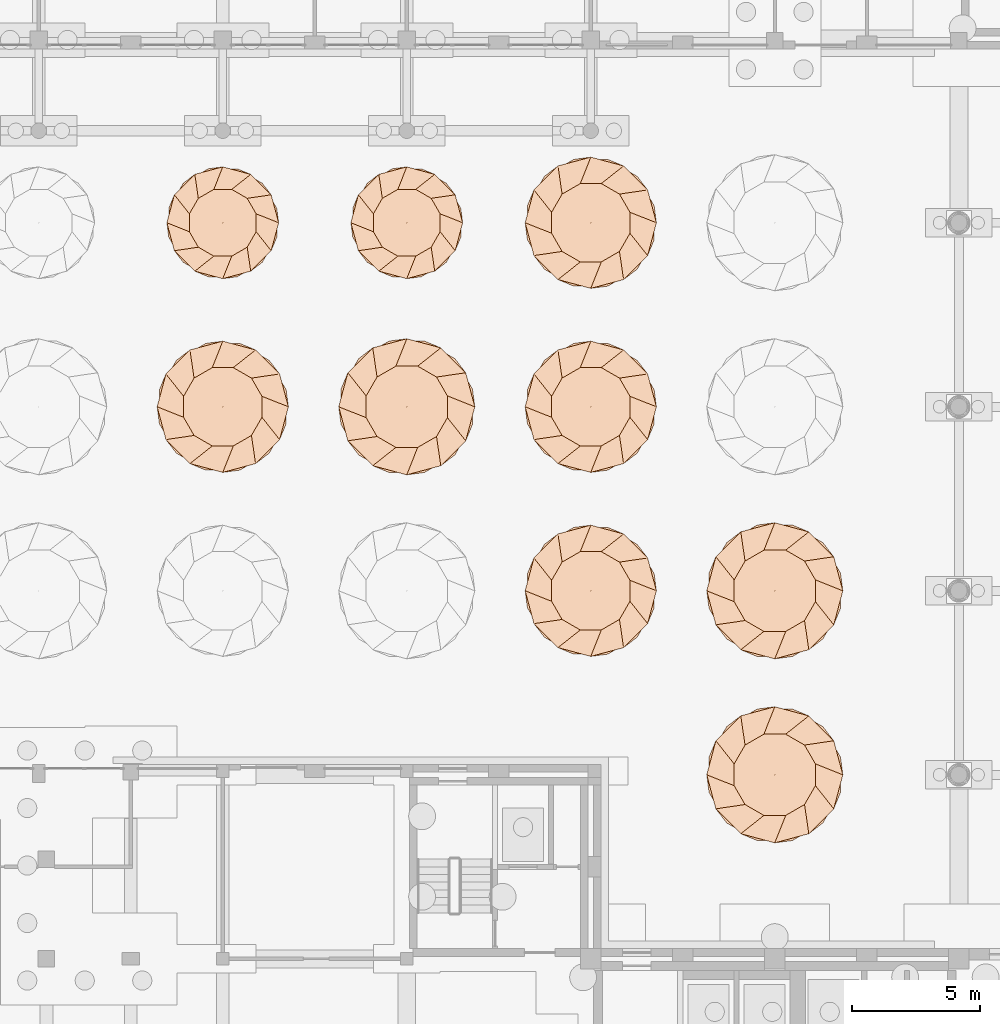
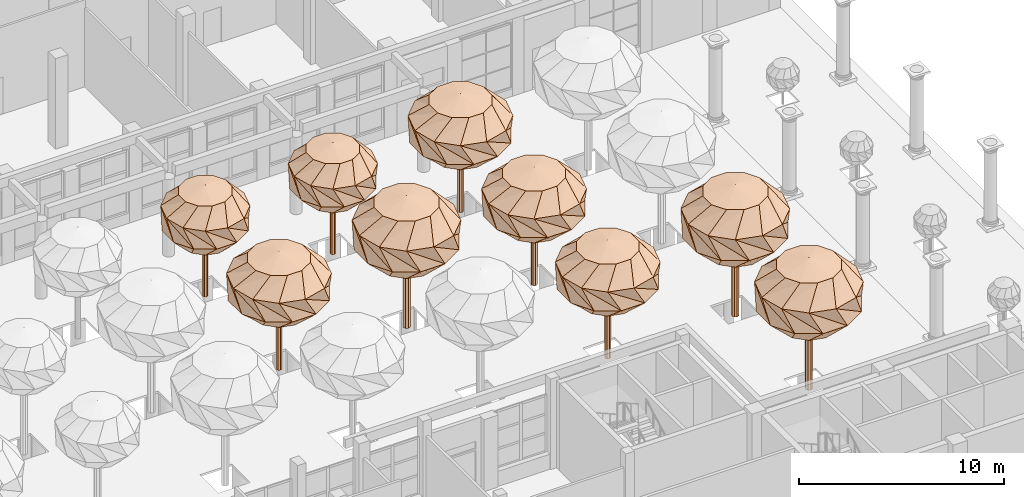
# One storey, part 79 of 80: 9 geographic elements.
"""IFC4 building model written with IfcOpenShell, lengths in metres."""

import ifcopenshell
import ifcopenshell.guid

model = None  # the IFC model being written
_history = None  # IfcOwnerHistory: only IFC2X3 demands one
_inside = {}  # id of a spatial element -> (the spatial element, [elements in it])
_under = {}  # id of a project, library or spatial element -> (it, [spatial elements below it])
_declared = {}  # id of a project -> (the project, [libraries it declares])
_typed = {}  # id of a type object -> (the type object, [elements of that type])
_made_of = {}  # id of a material, layer set ... -> (it, [elements and type objects made of it])


def new_model(schema):
    """Start an empty IFC model of exactly this schema.

    Asked for "IFC4X3", IfcOpenShell would pick the latest addendum, in which some entities
    have other attributes; the version numbers below select the first issue.
    IFC2X3 requires an IfcOwnerHistory on every rooted entity: one is made here for all.
    """
    global model, _history
    if schema == "IFC4X3":
        model = ifcopenshell.file(schema_version=(4, 3, 0, 0))
    else:
        model = ifcopenshell.file(schema=schema)
    _inside.clear()
    _under.clear()
    _declared.clear()
    _typed.clear()
    _made_of.clear()
    _history = None
    if model.schema == "IFC2X3":
        org = make("IfcOrganization", Name="unknown")
        user = make(
            "IfcPersonAndOrganization",
            ThePerson=make("IfcPerson", FamilyName="unknown"),
            TheOrganization=org,
        )
        app = make(
            "IfcApplication",
            ApplicationDeveloper=org,
            Version="unknown",
            ApplicationFullName="unknown",
            ApplicationIdentifier="unknown",
        )
        _history = make(
            "IfcOwnerHistory",
            OwningUser=user,
            OwningApplication=app,
            ChangeAction="ADDED",
            CreationDate=0,
        )
    return model


def make(cls, **values):
    """One entity of the class cls with the attributes given. An attribute that is None is left unset."""
    return model.create_entity(
        cls, **{name: value for name, value in values.items() if value is not None}
    )


def rooted(cls, **values):
    """An entity with a GlobalId (a new one), such as an element, a storey or a relation."""
    return make(cls, GlobalId=ifcopenshell.guid.new(), OwnerHistory=_history, **values)


def si_unit(unit_type, name, prefix=None):
    """IfcSIUnit, for example si_unit("LENGTHUNIT", "METRE", prefix="MILLI")."""
    return make("IfcSIUnit", UnitType=unit_type, Prefix=prefix, Name=name)


def assignment(units):
    """IfcUnitAssignment: the units of a project."""
    return None if units is None else make("IfcUnitAssignment", Units=units)


def point(xyz):
    """IfcCartesianPoint."""
    return None if xyz is None else make("IfcCartesianPoint", Coordinates=xyz)


def direction(xyz):
    """IfcDirection."""
    return None if xyz is None else make("IfcDirection", DirectionRatios=xyz)


def frame(location, z_axis=None, x_axis=None):
    """IfcAxis2Placement3D, a coordinate frame: its origin and axes. An axis left out is left unset."""
    return make(
        "IfcAxis2Placement3D",
        Location=point(location),
        Axis=direction(z_axis),
        RefDirection=direction(x_axis),
    )


def origin():
    """The frame at (0, 0, 0) with its axes left unset."""
    return frame((0.0, 0.0, 0.0))


def place(relative_to, where):
    """IfcLocalPlacement: puts the frame where relative to a parent placement (None: the world)."""
    return make(
        "IfcLocalPlacement", PlacementRelTo=relative_to, RelativePlacement=where
    )


def context(
    kind, dimensions, precision=None, world=None, true_north=None, identifier=None
):
    """IfcGeometricRepresentationContext, for example the 3D "Model" context."""
    return make(
        "IfcGeometricRepresentationContext",
        ContextIdentifier=identifier,
        ContextType=kind,
        CoordinateSpaceDimension=dimensions,
        Precision=precision,
        WorldCoordinateSystem=world,
        TrueNorth=true_north,
    )


def subcontext(parent, identifier, kind, view, scale=None):
    """IfcGeometricRepresentationSubContext, for example "Body" below "Model"."""
    return make(
        "IfcGeometricRepresentationSubContext",
        ContextIdentifier=identifier,
        ContextType=kind,
        ParentContext=parent,
        TargetScale=scale,
        TargetView=view,
    )


def project(units=None, contexts=None):
    """IfcProject with its units and contexts."""
    return rooted(
        "IfcProject",
        Name="project",
        RepresentationContexts=contexts,
        UnitsInContext=assignment(units),
    )


def spatial(cls, under=None, at=None, **own):
    """A site, building, storey or space (cls), placed at a placement, below another one or the project."""
    s = rooted(cls, ObjectPlacement=at, **own)
    if under is not None:
        _under.setdefault(under.id(), (under, []))[1].append(s)
    return s


def point_list(points):
    """IfcCartesianPointList2D or 3D."""
    cls = (
        "IfcCartesianPointList2D" if len(points[0]) == 2 else "IfcCartesianPointList3D"
    )
    return make(cls, CoordList=points)


def triangles(points, corners, closed=None, point_numbers=None):
    """IfcTriangulatedFaceSet: each triangle names its three corners, points numbered from 1."""
    return make(
        "IfcTriangulatedFaceSet",
        Coordinates=point_list(points),
        Closed=closed,
        CoordIndex=corners,
        PnIndex=point_numbers,
    )


def shape(context_of_items, identifier, shape_type, items):
    """IfcShapeRepresentation: the items that make up one representation, for example the "Body"."""
    return make(
        "IfcShapeRepresentation",
        ContextOfItems=context_of_items,
        RepresentationIdentifier=identifier,
        RepresentationType=shape_type,
        Items=items,
    )


def material(Name=None, Category=None):
    """IfcMaterial."""
    return make("IfcMaterial", Name=Name, Category=Category)


def made_of(thing, what):
    """Note that an element or type object is made of a material, layer set ...; save() writes the relation."""
    if what is not None:
        _made_of.setdefault(what.id(), (what, []))[1].append(thing)
    return thing


def type_object(cls, material=None, **own):
    """A type object (cls), such as IfcWallType, which elements share."""
    return made_of(rooted(cls, **own), material)


def element(
    cls,
    number,
    at=None,
    inside=None,
    cuts=None,
    type_object=None,
    material=None,
    context=None,
    identifier="Body",
    shape_type=None,
    held_by="IfcProductDefinitionShape",
    body=None,
    shapes=None,
    **own,
):
    """One element of the class cls, such as IfcWall. Its Tag is "e" and its number.

    at: its placement. inside: the storey or other place that contains it. cuts: it is an
    opening in that element (IfcRelVoidsElement). A single representation is given by context,
    identifier, shape_type and body (its items); several are given by shapes. held_by: the class
    of the entity that holds the representations. save() writes the other relations.
    """
    e = rooted(cls, Tag="e%d" % number, ObjectPlacement=at, **own)
    if body is not None:
        shapes = [shape(context, identifier, shape_type, body)]
    if shapes is not None:
        e.Representation = make(held_by, Representations=shapes)
    if inside is not None:
        _inside.setdefault(inside.id(), (inside, []))[1].append(e)
    if cuts is not None:
        rooted(
            "IfcRelVoidsElement", RelatingBuildingElement=cuts, RelatedOpeningElement=e
        )
    if type_object is not None:
        _typed.setdefault(type_object.id(), (type_object, []))[1].append(e)
    return made_of(e, material)


def aggregate(whole, parts):
    """IfcRelAggregates: a whole, such as a stair, and the parts it consists of."""
    return rooted("IfcRelAggregates", RelatingObject=whole, RelatedObjects=parts)


def save(model, path):
    """Write the relations noted so far, then the file.

    IfcRelAggregates (storeys below a building ...), IfcRelContainedInSpatialStructure (elements
    in a storey), IfcRelDefinesByType, IfcRelAssociatesMaterial and IfcRelDeclares: one each for
    every whole, place, type object, material and project.
    """
    for whole, parts in _under.values():
        aggregate(whole, parts)
    for where, things in _inside.values():
        rooted(
            "IfcRelContainedInSpatialStructure",
            RelatedElements=things,
            RelatingStructure=where,
        )
    for kind, things in _typed.values():
        rooted("IfcRelDefinesByType", RelatedObjects=things, RelatingType=kind)
    for what, things in _made_of.values():
        rooted("IfcRelAssociatesMaterial", RelatedObjects=things, RelatingMaterial=what)
    for by, libraries in _declared.values():
        rooted("IfcRelDeclares", RelatingContext=by, RelatedDefinitions=libraries)
    model.write(path)


model = new_model("IFC4")

# Units and contexts
model_context = context("Model", 3, precision=1e-05, world=origin(), true_north=direction((0.0, 1.0)))
body_context = subcontext(model_context, "Body", "Model", "MODEL_VIEW")
ifc_project = project(units=[si_unit("LENGTHUNIT", "METRE"), si_unit("AREAUNIT", "SQUARE_METRE"), si_unit("VOLUMEUNIT", "CUBIC_METRE"), si_unit("PLANEANGLEUNIT", "RADIAN"), si_unit("MASSUNIT", "GRAM", prefix="KILO")], contexts=[model_context])

# Site, building, storey
site_placement = place(None, origin())
site = spatial("IfcSite", under=ifc_project, at=site_placement, CompositionType="ELEMENT")
building_placement = place(site_placement, origin())
building = spatial("IfcBuilding", under=site, at=building_placement, Name="Ussher Court Research Institute", CompositionType="ELEMENT")
storey_placement = place(building_placement, origin())
storey = spatial("IfcBuildingStorey", under=building, at=storey_placement, Name="L00", CompositionType="ELEMENT", Elevation=0.0)

# Geographic elements
ifc_material_1 = material(Name="Tree foliage and trunk")
geographic_element_type_1 = type_object("IfcGeographicElementType", Name="African mahogany 7.8 m", PredefinedType="USERDEFINED", material=ifc_material_1)
geographic_element_1_placement = place(storey_placement, frame((89.39990234375, 40.0, -0.320068359375)))
element("IfcGeographicElement", 1, at=geographic_element_1_placement, inside=storey, type_object=geographic_element_type_1, Name="T15 African mahogany", ObjectType="TREE", PredefinedType="USERDEFINED", context=body_context, shape_type="Tessellation", body=[
    triangles([(0.1899, 0.0, 0.0), (0.1343, 0.1343, 0.0), (0.0, 0.1899, 0.0), (-0.1343, 0.1343, 0.0), (-0.1899, 0.0, 0.0), (-0.1343, -0.1343, 0.0), (0.0, -0.1899, 0.0), (0.1343, -0.1343, 0.0), (0.1899, 0.0, 4.8601), (0.1343, 0.1343, 4.8601), (0.0, 0.1899, 4.8601), (-0.1343, 0.1343, 4.8601), (-0.1899, 0.0, 4.8601), (-0.1343, -0.1343, 4.8601), (0.0, -0.1899, 4.8601), (0.1343, -0.1343, 4.8601), (0.0, 0.0, 7.8), (1.5897, 0.426, 7.399), (1.1638, 1.1638, 7.399), (0.426, 1.5897, 7.399), (-0.426, 1.5897, 7.399), (-1.1638, 1.1638, 7.399), (-1.5897, 0.426, 7.399), (-1.5897, -0.426, 7.399), (-1.1638, -1.1638, 7.399), (-0.426, -1.5897, 7.399), (0.426, -1.5897, 7.399), (1.1638, -1.1638, 7.399), (1.5897, -0.426, 7.399), (2.663, 0.0, 6.349), (2.3062, 1.3315, 6.349), (1.3315, 2.3062, 6.349), (0.0, 2.663, 6.349), (-1.3315, 2.3062, 6.349), (-2.3062, 1.3315, 6.349), (-2.663, 0.0, 6.349), (-2.3062, -1.3315, 6.349), (-1.3315, -2.3062, 6.349), (0.0, -2.663, 6.349), (1.3315, -2.3062, 6.349), (2.3062, -1.3315, 6.349), (2.5723, 0.6892, 5.0511), (1.883, 1.883, 5.0511), (0.6892, 2.5723, 5.0511), (-0.6892, 2.5723, 5.0511), (-1.883, 1.883, 5.0511), (-2.5723, 0.6892, 5.0511), (-2.5723, -0.6892, 5.0511), (-1.883, -1.883, 5.0511), (-0.6892, -2.5723, 5.0511), (0.6892, -2.5723, 5.0511), (1.883, -1.883, 5.0511), (2.5723, -0.6892, 5.0511), (1.6458, 0.0, 4.0012), (1.4253, 0.8229, 4.0012), (0.8229, 1.4253, 4.0012), (0.0, 1.6458, 4.0012), (-0.8229, 1.4253, 4.0012), (-1.4253, 0.8229, 4.0012), (-1.6458, 0.0, 4.0012), (-1.4253, -0.8229, 4.0012), (-0.8229, -1.4253, 4.0012), (0.0, -1.6458, 4.0012), (0.8229, -1.4253, 4.0012), (1.4253, -0.8229, 4.0012), (0.0, 0.0, 3.6001)], [[1, 2, 9], [2, 10, 9], [2, 3, 10], [3, 11, 10], [3, 4, 11], [4, 12, 11], [4, 5, 12], [5, 13, 12], [5, 6, 13], [6, 14, 13], [6, 7, 14], [7, 15, 14], [7, 8, 15], [8, 16, 15], [8, 1, 16], [1, 9, 16], [1, 3, 2], [9, 10, 11], [1, 4, 3], [9, 11, 12], [1, 5, 4], [9, 12, 13], [1, 6, 5], [9, 13, 14], [1, 7, 6], [9, 14, 15], [1, 8, 7], [9, 15, 16], [17, 18, 19], [17, 19, 20], [17, 20, 21], [17, 21, 22], [17, 22, 23], [17, 23, 24], [17, 24, 25], [17, 25, 26], [17, 26, 27], [17, 27, 28], [17, 28, 29], [17, 29, 18], [18, 30, 19], [19, 30, 31], [19, 31, 20], [20, 31, 32], [20, 32, 21], [21, 32, 33], [21, 33, 22], [22, 33, 34], [22, 34, 23], [23, 34, 35], [23, 35, 24], [24, 35, 36], [24, 36, 25], [25, 36, 37], [25, 37, 26], [26, 37, 38], [26, 38, 27], [27, 38, 39], [27, 39, 28], [28, 39, 40], [28, 40, 29], [29, 40, 41], [29, 41, 18], [18, 41, 30], [30, 43, 31], [30, 42, 43], [31, 44, 32], [31, 43, 44], [32, 45, 33], [32, 44, 45], [33, 46, 34], [33, 45, 46], [34, 47, 35], [34, 46, 47], [35, 48, 36], [35, 47, 48], [36, 49, 37], [36, 48, 49], [37, 50, 38], [37, 49, 50], [38, 51, 39], [38, 50, 51], [39, 52, 40], [39, 51, 52], [40, 53, 41], [40, 52, 53], [41, 42, 30], [41, 53, 42], [42, 54, 43], [43, 54, 55], [43, 55, 44], [44, 55, 56], [44, 56, 45], [45, 56, 57], [45, 57, 46], [46, 57, 58], [46, 58, 47], [47, 58, 59], [47, 59, 48], [48, 59, 60], [48, 60, 49], [49, 60, 61], [49, 61, 50], [50, 61, 62], [50, 62, 51], [51, 62, 63], [51, 63, 52], [52, 63, 64], [52, 64, 53], [53, 64, 65], [53, 65, 42], [42, 65, 54], [66, 55, 54], [66, 56, 55], [66, 57, 56], [66, 58, 57], [66, 59, 58], [66, 60, 59], [66, 61, 60], [66, 62, 61], [66, 63, 62], [66, 64, 63], [66, 65, 64], [66, 54, 65]], closed=False),
])
geographic_element_2_placement = place(storey_placement, frame((89.39990234375, 47.199951171875, -0.320068359375)))
element("IfcGeographicElement", 2, at=geographic_element_2_placement, inside=storey, type_object=geographic_element_type_1, Name="T21 African mahogany", ObjectType="TREE", PredefinedType="USERDEFINED", context=body_context, shape_type="Tessellation", body=[
    triangles([(0.1899, 0.0, 0.0), (0.1343, 0.1343, 0.0), (0.0, 0.1899, 0.0), (-0.1343, 0.1343, 0.0), (-0.1899, 0.0, 0.0), (-0.1343, -0.1343, 0.0), (0.0, -0.1899, 0.0), (0.1343, -0.1343, 0.0), (0.1899, 0.0, 4.8601), (0.1343, 0.1343, 4.8601), (0.0, 0.1899, 4.8601), (-0.1343, 0.1343, 4.8601), (-0.1899, 0.0, 4.8601), (-0.1343, -0.1343, 4.8601), (0.0, -0.1899, 4.8601), (0.1343, -0.1343, 4.8601), (0.0, 0.0, 7.8), (1.5897, 0.426, 7.399), (1.1638, 1.1638, 7.399), (0.426, 1.5897, 7.399), (-0.426, 1.5897, 7.399), (-1.1638, 1.1638, 7.399), (-1.5897, 0.426, 7.399), (-1.5897, -0.426, 7.399), (-1.1638, -1.1638, 7.399), (-0.426, -1.5897, 7.399), (0.426, -1.5897, 7.399), (1.1638, -1.1638, 7.399), (1.5897, -0.426, 7.399), (2.663, 0.0, 6.349), (2.3062, 1.3315, 6.349), (1.3315, 2.3062, 6.349), (0.0, 2.663, 6.349), (-1.3315, 2.3062, 6.349), (-2.3062, 1.3315, 6.349), (-2.663, 0.0, 6.349), (-2.3062, -1.3315, 6.349), (-1.3315, -2.3062, 6.349), (0.0, -2.663, 6.349), (1.3315, -2.3062, 6.349), (2.3062, -1.3315, 6.349), (2.5723, 0.6892, 5.0511), (1.883, 1.883, 5.0511), (0.6892, 2.5723, 5.0511), (-0.6892, 2.5723, 5.0511), (-1.883, 1.883, 5.0511), (-2.5723, 0.6892, 5.0511), (-2.5723, -0.6892, 5.0511), (-1.883, -1.883, 5.0511), (-0.6892, -2.5723, 5.0511), (0.6892, -2.5723, 5.0511), (1.883, -1.883, 5.0511), (2.5723, -0.6892, 5.0511), (1.6458, 0.0, 4.0012), (1.4253, 0.8229, 4.0012), (0.8229, 1.4253, 4.0012), (0.0, 1.6458, 4.0012), (-0.8229, 1.4253, 4.0012), (-1.4253, 0.8229, 4.0012), (-1.6458, 0.0, 4.0012), (-1.4253, -0.8229, 4.0012), (-0.8229, -1.4253, 4.0012), (0.0, -1.6458, 4.0012), (0.8229, -1.4253, 4.0012), (1.4253, -0.8229, 4.0012), (0.0, 0.0, 3.6001)], [[1, 2, 9], [2, 10, 9], [2, 3, 10], [3, 11, 10], [3, 4, 11], [4, 12, 11], [4, 5, 12], [5, 13, 12], [5, 6, 13], [6, 14, 13], [6, 7, 14], [7, 15, 14], [7, 8, 15], [8, 16, 15], [8, 1, 16], [1, 9, 16], [1, 3, 2], [9, 10, 11], [1, 4, 3], [9, 11, 12], [1, 5, 4], [9, 12, 13], [1, 6, 5], [9, 13, 14], [1, 7, 6], [9, 14, 15], [1, 8, 7], [9, 15, 16], [17, 18, 19], [17, 19, 20], [17, 20, 21], [17, 21, 22], [17, 22, 23], [17, 23, 24], [17, 24, 25], [17, 25, 26], [17, 26, 27], [17, 27, 28], [17, 28, 29], [17, 29, 18], [18, 30, 19], [19, 30, 31], [19, 31, 20], [20, 31, 32], [20, 32, 21], [21, 32, 33], [21, 33, 22], [22, 33, 34], [22, 34, 23], [23, 34, 35], [23, 35, 24], [24, 35, 36], [24, 36, 25], [25, 36, 37], [25, 37, 26], [26, 37, 38], [26, 38, 27], [27, 38, 39], [27, 39, 28], [28, 39, 40], [28, 40, 29], [29, 40, 41], [29, 41, 18], [18, 41, 30], [30, 43, 31], [30, 42, 43], [31, 44, 32], [31, 43, 44], [32, 45, 33], [32, 44, 45], [33, 46, 34], [33, 45, 46], [34, 47, 35], [34, 46, 47], [35, 48, 36], [35, 47, 48], [36, 49, 37], [36, 48, 49], [37, 50, 38], [37, 49, 50], [38, 51, 39], [38, 50, 51], [39, 52, 40], [39, 51, 52], [40, 53, 41], [40, 52, 53], [41, 42, 30], [41, 53, 42], [42, 54, 43], [43, 54, 55], [43, 55, 44], [44, 55, 56], [44, 56, 45], [45, 56, 57], [45, 57, 46], [46, 57, 58], [46, 58, 47], [47, 58, 59], [47, 59, 48], [48, 59, 60], [48, 60, 49], [49, 60, 61], [49, 61, 50], [50, 61, 62], [50, 62, 51], [51, 62, 63], [51, 63, 52], [52, 63, 64], [52, 64, 53], [53, 64, 65], [53, 65, 42], [42, 65, 54], [66, 55, 54], [66, 56, 55], [66, 57, 56], [66, 58, 57], [66, 59, 58], [66, 60, 59], [66, 61, 60], [66, 62, 61], [66, 63, 62], [66, 64, 63], [66, 65, 64], [66, 54, 65]], closed=False),
])
geographic_element_3_placement = place(storey_placement, frame((75.0, 54.39990234375, -0.320068359375)))
element("IfcGeographicElement", 3, at=geographic_element_3_placement, inside=storey, type_object=geographic_element_type_1, Name="T26 African mahogany", ObjectType="TREE", PredefinedType="USERDEFINED", context=body_context, shape_type="Tessellation", body=[
    triangles([(0.1899, 0.0, 0.0), (0.1343, 0.1343, 0.0), (0.0, 0.1899, 0.0), (-0.1343, 0.1343, 0.0), (-0.1899, 0.0, 0.0), (-0.1343, -0.1343, 0.0), (0.0, -0.1899, 0.0), (0.1343, -0.1343, 0.0), (0.1899, 0.0, 4.8601), (0.1343, 0.1343, 4.8601), (0.0, 0.1899, 4.8601), (-0.1343, 0.1343, 4.8601), (-0.1899, 0.0, 4.8601), (-0.1343, -0.1343, 4.8601), (0.0, -0.1899, 4.8601), (0.1343, -0.1343, 4.8601), (0.0, 0.0, 7.8), (1.5897, 0.426, 7.399), (1.1638, 1.1638, 7.399), (0.426, 1.5897, 7.399), (-0.426, 1.5897, 7.399), (-1.1638, 1.1638, 7.399), (-1.5897, 0.426, 7.399), (-1.5897, -0.426, 7.399), (-1.1638, -1.1638, 7.399), (-0.426, -1.5897, 7.399), (0.426, -1.5897, 7.399), (1.1638, -1.1638, 7.399), (1.5897, -0.426, 7.399), (2.663, 0.0, 6.349), (2.3062, 1.3315, 6.349), (1.3315, 2.3062, 6.349), (0.0, 2.663, 6.349), (-1.3315, 2.3062, 6.349), (-2.3062, 1.3315, 6.349), (-2.663, 0.0, 6.349), (-2.3062, -1.3315, 6.349), (-1.3315, -2.3062, 6.349), (0.0, -2.663, 6.349), (1.3315, -2.3062, 6.349), (2.3062, -1.3315, 6.349), (2.5723, 0.6892, 5.0511), (1.883, 1.883, 5.0511), (0.6892, 2.5723, 5.0511), (-0.6892, 2.5723, 5.0511), (-1.883, 1.883, 5.0511), (-2.5723, 0.6892, 5.0511), (-2.5723, -0.6892, 5.0511), (-1.883, -1.883, 5.0511), (-0.6892, -2.5723, 5.0511), (0.6892, -2.5723, 5.0511), (1.883, -1.883, 5.0511), (2.5723, -0.6892, 5.0511), (1.6458, 0.0, 4.0012), (1.4253, 0.8229, 4.0012), (0.8229, 1.4253, 4.0012), (0.0, 1.6458, 4.0012), (-0.8229, 1.4253, 4.0012), (-1.4253, 0.8229, 4.0012), (-1.6458, 0.0, 4.0012), (-1.4253, -0.8229, 4.0012), (-0.8229, -1.4253, 4.0012), (0.0, -1.6458, 4.0012), (0.8229, -1.4253, 4.0012), (1.4253, -0.8229, 4.0012), (0.0, 0.0, 3.6001)], [[1, 2, 9], [2, 10, 9], [2, 3, 10], [3, 11, 10], [3, 4, 11], [4, 12, 11], [4, 5, 12], [5, 13, 12], [5, 6, 13], [6, 14, 13], [6, 7, 14], [7, 15, 14], [7, 8, 15], [8, 16, 15], [8, 1, 16], [1, 9, 16], [1, 3, 2], [9, 10, 11], [1, 4, 3], [9, 11, 12], [1, 5, 4], [9, 12, 13], [1, 6, 5], [9, 13, 14], [1, 7, 6], [9, 14, 15], [1, 8, 7], [9, 15, 16], [17, 18, 19], [17, 19, 20], [17, 20, 21], [17, 21, 22], [17, 22, 23], [17, 23, 24], [17, 24, 25], [17, 25, 26], [17, 26, 27], [17, 27, 28], [17, 28, 29], [17, 29, 18], [18, 30, 19], [19, 30, 31], [19, 31, 20], [20, 31, 32], [20, 32, 21], [21, 32, 33], [21, 33, 22], [22, 33, 34], [22, 34, 23], [23, 34, 35], [23, 35, 24], [24, 35, 36], [24, 36, 25], [25, 36, 37], [25, 37, 26], [26, 37, 38], [26, 38, 27], [27, 38, 39], [27, 39, 28], [28, 39, 40], [28, 40, 29], [29, 40, 41], [29, 41, 18], [18, 41, 30], [30, 43, 31], [30, 42, 43], [31, 44, 32], [31, 43, 44], [32, 45, 33], [32, 44, 45], [33, 46, 34], [33, 45, 46], [34, 47, 35], [34, 46, 47], [35, 48, 36], [35, 47, 48], [36, 49, 37], [36, 48, 49], [37, 50, 38], [37, 49, 50], [38, 51, 39], [38, 50, 51], [39, 52, 40], [39, 51, 52], [40, 53, 41], [40, 52, 53], [41, 42, 30], [41, 53, 42], [42, 54, 43], [43, 54, 55], [43, 55, 44], [44, 55, 56], [44, 56, 45], [45, 56, 57], [45, 57, 46], [46, 57, 58], [46, 58, 47], [47, 58, 59], [47, 59, 48], [48, 59, 60], [48, 60, 49], [49, 60, 61], [49, 61, 50], [50, 61, 62], [50, 62, 51], [51, 62, 63], [51, 63, 52], [52, 63, 64], [52, 64, 53], [53, 64, 65], [53, 65, 42], [42, 65, 54], [66, 55, 54], [66, 56, 55], [66, 57, 56], [66, 58, 57], [66, 59, 58], [66, 60, 59], [66, 61, 60], [66, 62, 61], [66, 63, 62], [66, 64, 63], [66, 65, 64], [66, 54, 65]], closed=False),
])
ifc_material_2 = material(Name="Tree foliage and trunk")
geographic_element_type_2 = type_object("IfcGeographicElementType", Name="Golden shower tree 6.6 m", PredefinedType="USERDEFINED", material=ifc_material_2)
geographic_element_4_placement = place(storey_placement, frame((67.800048828125, 61.60009765625, -0.320068359375)))
element("IfcGeographicElement", 4, at=geographic_element_4_placement, inside=storey, type_object=geographic_element_type_2, Name="T36 Golden shower tree", ObjectType="TREE", PredefinedType="USERDEFINED", context=body_context, shape_type="Tessellation", body=[
    triangles([(0.14, 0.0, 0.0), (0.099, 0.099, 0.0), (0.0, 0.14, 0.0), (-0.099, 0.099, 0.0), (-0.14, 0.0, 0.0), (-0.099, -0.099, 0.0), (0.0, -0.14, 0.0), (0.099, -0.099, 0.0), (0.14, 0.0, 4.08), (0.099, 0.099, 4.08), (0.0, 0.14, 4.08), (-0.099, 0.099, 4.08), (-0.14, 0.0, 4.08), (-0.099, -0.099, 4.08), (0.0, -0.14, 4.08), (0.099, -0.099, 4.08), (0.0, 0.0, 6.6001), (1.3059, 0.3499, 6.2563), (0.956, 0.956, 6.2563), (0.3499, 1.3059, 6.2563), (-0.3499, 1.3059, 6.2563), (-0.956, 0.956, 6.2563), (-1.3059, 0.3499, 6.2563), (-1.3059, -0.3499, 6.2563), (-0.956, -0.956, 6.2563), (-0.3499, -1.3059, 6.2563), (0.3499, -1.3059, 6.2563), (0.956, -0.956, 6.2563), (1.3059, -0.3499, 6.2563), (2.1875, 0.0, 5.3563), (1.8944, 1.0937, 5.3563), (1.0937, 1.8944, 5.3563), (0.0, 2.1875, 5.3563), (-1.0937, 1.8944, 5.3563), (-1.8944, 1.0937, 5.3563), (-2.1875, 0.0, 5.3563), (-1.8944, -1.0937, 5.3563), (-1.0937, -1.8944, 5.3563), (0.0, -2.1875, 5.3563), (1.0937, -1.8944, 5.3563), (1.8944, -1.0937, 5.3563), (2.1129, 0.5662, 4.2438), (1.5468, 1.5468, 4.2438), (0.5662, 2.1129, 4.2438), (-0.5662, 2.1129, 4.2438), (-1.5468, 1.5468, 4.2438), (-2.1129, 0.5662, 4.2438), (-2.1129, -0.5662, 4.2438), (-1.5468, -1.5468, 4.2438), (-0.5662, -2.1129, 4.2438), (0.5662, -2.1129, 4.2438), (1.5468, -1.5468, 4.2438), (2.1129, -0.5662, 4.2438), (1.3519, 0.0, 3.3438), (1.1708, 0.676, 3.3438), (0.676, 1.1708, 3.3438), (0.0, 1.3519, 3.3438), (-0.676, 1.1708, 3.3438), (-1.1708, 0.676, 3.3438), (-1.3519, 0.0, 3.3438), (-1.1708, -0.676, 3.3438), (-0.676, -1.1708, 3.3438), (0.0, -1.3519, 3.3438), (0.676, -1.1708, 3.3438), (1.1708, -0.676, 3.3438), (0.0, 0.0, 3.0)], [[1, 2, 9], [2, 10, 9], [2, 3, 10], [3, 11, 10], [3, 4, 11], [4, 12, 11], [4, 5, 12], [5, 13, 12], [5, 6, 13], [6, 14, 13], [6, 7, 14], [7, 15, 14], [7, 8, 15], [8, 16, 15], [8, 1, 16], [1, 9, 16], [1, 3, 2], [9, 10, 11], [1, 4, 3], [9, 11, 12], [1, 5, 4], [9, 12, 13], [1, 6, 5], [9, 13, 14], [1, 7, 6], [9, 14, 15], [1, 8, 7], [9, 15, 16], [17, 18, 19], [17, 19, 20], [17, 20, 21], [17, 21, 22], [17, 22, 23], [17, 23, 24], [17, 24, 25], [17, 25, 26], [17, 26, 27], [17, 27, 28], [17, 28, 29], [17, 29, 18], [18, 30, 19], [19, 30, 31], [19, 31, 20], [20, 31, 32], [20, 32, 21], [21, 32, 33], [21, 33, 22], [22, 33, 34], [22, 34, 23], [23, 34, 35], [23, 35, 24], [24, 35, 36], [24, 36, 25], [25, 36, 37], [25, 37, 26], [26, 37, 38], [26, 38, 27], [27, 38, 39], [27, 39, 28], [28, 39, 40], [28, 40, 29], [29, 40, 41], [29, 41, 18], [18, 41, 30], [30, 43, 31], [30, 42, 43], [31, 44, 32], [31, 43, 44], [32, 45, 33], [32, 44, 45], [33, 46, 34], [33, 45, 46], [34, 47, 35], [34, 46, 47], [35, 48, 36], [35, 47, 48], [36, 49, 37], [36, 48, 49], [37, 50, 38], [37, 49, 50], [38, 51, 39], [38, 50, 51], [39, 52, 40], [39, 51, 52], [40, 53, 41], [40, 52, 53], [41, 42, 30], [41, 53, 42], [42, 54, 43], [43, 54, 55], [43, 55, 44], [44, 55, 56], [44, 56, 45], [45, 56, 57], [45, 57, 46], [46, 57, 58], [46, 58, 47], [47, 58, 59], [47, 59, 48], [48, 59, 60], [48, 60, 49], [49, 60, 61], [49, 61, 50], [50, 61, 62], [50, 62, 51], [51, 62, 63], [51, 63, 52], [52, 63, 64], [52, 64, 53], [53, 64, 65], [53, 65, 42], [42, 65, 54], [66, 55, 54], [66, 56, 55], [66, 57, 56], [66, 58, 57], [66, 59, 58], [66, 60, 59], [66, 61, 60], [66, 62, 61], [66, 63, 62], [66, 64, 63], [66, 65, 64], [66, 54, 65]], closed=False),
])
geographic_element_5_placement = place(storey_placement, frame((75.0, 61.60009765625, -0.320068359375)))
element("IfcGeographicElement", 5, at=geographic_element_5_placement, inside=storey, type_object=geographic_element_type_2, Name="T37 Golden shower tree", ObjectType="TREE", PredefinedType="USERDEFINED", context=body_context, shape_type="Tessellation", body=[
    triangles([(0.14, 0.0, 0.0), (0.099, 0.099, 0.0), (0.0, 0.14, 0.0), (-0.099, 0.099, 0.0), (-0.14, 0.0, 0.0), (-0.099, -0.099, 0.0), (0.0, -0.14, 0.0), (0.099, -0.099, 0.0), (0.14, 0.0, 4.08), (0.099, 0.099, 4.08), (0.0, 0.14, 4.08), (-0.099, 0.099, 4.08), (-0.14, 0.0, 4.08), (-0.099, -0.099, 4.08), (0.0, -0.14, 4.08), (0.099, -0.099, 4.08), (0.0, 0.0, 6.6001), (1.3059, 0.3499, 6.2563), (0.956, 0.956, 6.2563), (0.3499, 1.3059, 6.2563), (-0.3499, 1.3059, 6.2563), (-0.956, 0.956, 6.2563), (-1.3059, 0.3499, 6.2563), (-1.3059, -0.3499, 6.2563), (-0.956, -0.956, 6.2563), (-0.3499, -1.3059, 6.2563), (0.3499, -1.3059, 6.2563), (0.956, -0.956, 6.2563), (1.3059, -0.3499, 6.2563), (2.1875, 0.0, 5.3563), (1.8944, 1.0937, 5.3563), (1.0937, 1.8944, 5.3563), (0.0, 2.1875, 5.3563), (-1.0937, 1.8944, 5.3563), (-1.8944, 1.0937, 5.3563), (-2.1875, 0.0, 5.3563), (-1.8944, -1.0937, 5.3563), (-1.0937, -1.8944, 5.3563), (0.0, -2.1875, 5.3563), (1.0937, -1.8944, 5.3563), (1.8944, -1.0937, 5.3563), (2.1129, 0.5662, 4.2438), (1.5468, 1.5468, 4.2438), (0.5662, 2.1129, 4.2438), (-0.5662, 2.1129, 4.2438), (-1.5468, 1.5468, 4.2438), (-2.1129, 0.5662, 4.2438), (-2.1129, -0.5662, 4.2438), (-1.5468, -1.5468, 4.2438), (-0.5662, -2.1129, 4.2438), (0.5662, -2.1129, 4.2438), (1.5468, -1.5468, 4.2438), (2.1129, -0.5662, 4.2438), (1.3519, 0.0, 3.3438), (1.1708, 0.676, 3.3438), (0.676, 1.1708, 3.3438), (0.0, 1.3519, 3.3438), (-0.676, 1.1708, 3.3438), (-1.1708, 0.676, 3.3438), (-1.3519, 0.0, 3.3438), (-1.1708, -0.676, 3.3438), (-0.676, -1.1708, 3.3438), (0.0, -1.3519, 3.3438), (0.676, -1.1708, 3.3438), (1.1708, -0.676, 3.3438), (0.0, 0.0, 3.0)], [[1, 2, 9], [2, 10, 9], [2, 3, 10], [3, 11, 10], [3, 4, 11], [4, 12, 11], [4, 5, 12], [5, 13, 12], [5, 6, 13], [6, 14, 13], [6, 7, 14], [7, 15, 14], [7, 8, 15], [8, 16, 15], [8, 1, 16], [1, 9, 16], [1, 3, 2], [9, 10, 11], [1, 4, 3], [9, 11, 12], [1, 5, 4], [9, 12, 13], [1, 6, 5], [9, 13, 14], [1, 7, 6], [9, 14, 15], [1, 8, 7], [9, 15, 16], [17, 18, 19], [17, 19, 20], [17, 20, 21], [17, 21, 22], [17, 22, 23], [17, 23, 24], [17, 24, 25], [17, 25, 26], [17, 26, 27], [17, 27, 28], [17, 28, 29], [17, 29, 18], [18, 30, 19], [19, 30, 31], [19, 31, 20], [20, 31, 32], [20, 32, 21], [21, 32, 33], [21, 33, 22], [22, 33, 34], [22, 34, 23], [23, 34, 35], [23, 35, 24], [24, 35, 36], [24, 36, 25], [25, 36, 37], [25, 37, 26], [26, 37, 38], [26, 38, 27], [27, 38, 39], [27, 39, 28], [28, 39, 40], [28, 40, 29], [29, 40, 41], [29, 41, 18], [18, 41, 30], [30, 43, 31], [30, 42, 43], [31, 44, 32], [31, 43, 44], [32, 45, 33], [32, 44, 45], [33, 46, 34], [33, 45, 46], [34, 47, 35], [34, 46, 47], [35, 48, 36], [35, 47, 48], [36, 49, 37], [36, 48, 49], [37, 50, 38], [37, 49, 50], [38, 51, 39], [38, 50, 51], [39, 52, 40], [39, 51, 52], [40, 53, 41], [40, 52, 53], [41, 42, 30], [41, 53, 42], [42, 54, 43], [43, 54, 55], [43, 55, 44], [44, 55, 56], [44, 56, 45], [45, 56, 57], [45, 57, 46], [46, 57, 58], [46, 58, 47], [47, 58, 59], [47, 59, 48], [48, 59, 60], [48, 60, 49], [49, 60, 61], [49, 61, 50], [50, 61, 62], [50, 62, 51], [51, 62, 63], [51, 63, 52], [52, 63, 64], [52, 64, 53], [53, 64, 65], [53, 65, 42], [42, 65, 54], [66, 55, 54], [66, 56, 55], [66, 57, 56], [66, 58, 57], [66, 59, 58], [66, 60, 59], [66, 61, 60], [66, 62, 61], [66, 63, 62], [66, 64, 63], [66, 65, 64], [66, 54, 65]], closed=False),
])
ifc_material_3 = material(Name="Tree foliage and trunk")
geographic_element_type_3 = type_object("IfcGeographicElementType", Name="Indian almond 7.0 m", PredefinedType="USERDEFINED", material=ifc_material_3)
geographic_element_6_placement = place(storey_placement, frame((82.199951171875, 47.199951171875, -0.320068359375)))
element("IfcGeographicElement", 6, at=geographic_element_6_placement, inside=storey, type_object=geographic_element_type_3, Name="T08 Indian almond", ObjectType="TREE", PredefinedType="USERDEFINED", context=body_context, shape_type="Tessellation", body=[
    triangles([(0.16, 0.0, 0.0), (0.1132, 0.1132, 0.0), (0.0, 0.16, 0.0), (-0.1132, 0.1132, 0.0), (-0.16, 0.0, 0.0), (-0.1132, -0.1132, 0.0), (0.0, -0.16, 0.0), (0.1132, -0.1132, 0.0), (0.16, 0.0, 4.34), (0.1132, 0.1132, 4.34), (0.0, 0.16, 4.34), (-0.1132, 0.1132, 4.34), (-0.16, 0.0, 4.34), (-0.1132, -0.1132, 4.34), (0.0, -0.16, 4.34), (0.1132, -0.1132, 4.34), (0.0, 0.0, 7.0), (1.5329, 0.4107, 6.6371), (1.1222, 1.1222, 6.6371), (0.4107, 1.5329, 6.6371), (-0.4107, 1.5329, 6.6371), (-1.1222, 1.1222, 6.6371), (-1.5329, 0.4107, 6.6371), (-1.5329, -0.4107, 6.6371), (-1.1222, -1.1222, 6.6371), (-0.4107, -1.5329, 6.6371), (0.4107, -1.5329, 6.6371), (1.1222, -1.1222, 6.6371), (1.5329, -0.4107, 6.6371), (2.5678, 0.0, 5.6871), (2.2238, 1.2839, 5.6871), (1.2839, 2.2238, 5.6871), (0.0, 2.5678, 5.6871), (-1.2839, 2.2238, 5.6871), (-2.2238, 1.2839, 5.6871), (-2.5678, 0.0, 5.6871), (-2.2238, -1.2839, 5.6871), (-1.2839, -2.2238, 5.6871), (0.0, -2.5678, 5.6871), (1.2839, -2.2238, 5.6871), (2.2238, -1.2839, 5.6871), (2.4803, 0.6646, 4.5128), (1.8157, 1.8157, 4.5128), (0.6646, 2.4803, 4.5128), (-0.6646, 2.4803, 4.5128), (-1.8157, 1.8157, 4.5128), (-2.4803, 0.6646, 4.5128), (-2.4803, -0.6646, 4.5128), (-1.8157, -1.8157, 4.5128), (-0.6646, -2.4803, 4.5128), (0.6646, -2.4803, 4.5128), (1.8157, -1.8157, 4.5128), (2.4803, -0.6646, 4.5128), (1.587, 0.0, 3.5628), (1.3744, 0.7935, 3.5628), (0.7935, 1.3744, 3.5628), (0.0, 1.587, 3.5628), (-0.7935, 1.3744, 3.5628), (-1.3744, 0.7935, 3.5628), (-1.587, 0.0, 3.5628), (-1.3744, -0.7935, 3.5628), (-0.7935, -1.3744, 3.5628), (0.0, -1.587, 3.5628), (0.7935, -1.3744, 3.5628), (1.3744, -0.7935, 3.5628), (0.0, 0.0, 3.2)], [[1, 2, 9], [2, 10, 9], [2, 3, 10], [3, 11, 10], [3, 4, 11], [4, 12, 11], [4, 5, 12], [5, 13, 12], [5, 6, 13], [6, 14, 13], [6, 7, 14], [7, 15, 14], [7, 8, 15], [8, 16, 15], [8, 1, 16], [1, 9, 16], [1, 3, 2], [9, 10, 11], [1, 4, 3], [9, 11, 12], [1, 5, 4], [9, 12, 13], [1, 6, 5], [9, 13, 14], [1, 7, 6], [9, 14, 15], [1, 8, 7], [9, 15, 16], [17, 18, 19], [17, 19, 20], [17, 20, 21], [17, 21, 22], [17, 22, 23], [17, 23, 24], [17, 24, 25], [17, 25, 26], [17, 26, 27], [17, 27, 28], [17, 28, 29], [17, 29, 18], [18, 30, 19], [19, 30, 31], [19, 31, 20], [20, 31, 32], [20, 32, 21], [21, 32, 33], [21, 33, 22], [22, 33, 34], [22, 34, 23], [23, 34, 35], [23, 35, 24], [24, 35, 36], [24, 36, 25], [25, 36, 37], [25, 37, 26], [26, 37, 38], [26, 38, 27], [27, 38, 39], [27, 39, 28], [28, 39, 40], [28, 40, 29], [29, 40, 41], [29, 41, 18], [18, 41, 30], [30, 43, 31], [30, 42, 43], [31, 44, 32], [31, 43, 44], [32, 45, 33], [32, 44, 45], [33, 46, 34], [33, 45, 46], [34, 47, 35], [34, 46, 47], [35, 48, 36], [35, 47, 48], [36, 49, 37], [36, 48, 49], [37, 50, 38], [37, 49, 50], [38, 51, 39], [38, 50, 51], [39, 52, 40], [39, 51, 52], [40, 53, 41], [40, 52, 53], [41, 42, 30], [41, 53, 42], [42, 54, 43], [43, 54, 55], [43, 55, 44], [44, 55, 56], [44, 56, 45], [45, 56, 57], [45, 57, 46], [46, 57, 58], [46, 58, 47], [47, 58, 59], [47, 59, 48], [48, 59, 60], [48, 60, 49], [49, 60, 61], [49, 61, 50], [50, 61, 62], [50, 62, 51], [51, 62, 63], [51, 63, 52], [52, 63, 64], [52, 64, 53], [53, 64, 65], [53, 65, 42], [42, 65, 54], [66, 55, 54], [66, 56, 55], [66, 57, 56], [66, 58, 57], [66, 59, 58], [66, 60, 59], [66, 61, 60], [66, 62, 61], [66, 63, 62], [66, 64, 63], [66, 65, 64], [66, 54, 65]], closed=False),
])
geographic_element_7_placement = place(storey_placement, frame((67.800048828125, 54.39990234375, -0.320068359375)))
element("IfcGeographicElement", 7, at=geographic_element_7_placement, inside=storey, type_object=geographic_element_type_3, Name="T12 Indian almond", ObjectType="TREE", PredefinedType="USERDEFINED", context=body_context, shape_type="Tessellation", body=[
    triangles([(0.16, 0.0, 0.0), (0.1132, 0.1132, 0.0), (0.0, 0.16, 0.0), (-0.1132, 0.1132, 0.0), (-0.16, 0.0, 0.0), (-0.1132, -0.1132, 0.0), (0.0, -0.16, 0.0), (0.1132, -0.1132, 0.0), (0.16, 0.0, 4.34), (0.1132, 0.1132, 4.34), (0.0, 0.16, 4.34), (-0.1132, 0.1132, 4.34), (-0.16, 0.0, 4.34), (-0.1132, -0.1132, 4.34), (0.0, -0.16, 4.34), (0.1132, -0.1132, 4.34), (0.0, 0.0, 7.0), (1.5329, 0.4107, 6.6371), (1.1222, 1.1222, 6.6371), (0.4107, 1.5329, 6.6371), (-0.4107, 1.5329, 6.6371), (-1.1222, 1.1222, 6.6371), (-1.5329, 0.4107, 6.6371), (-1.5329, -0.4107, 6.6371), (-1.1222, -1.1222, 6.6371), (-0.4107, -1.5329, 6.6371), (0.4107, -1.5329, 6.6371), (1.1222, -1.1222, 6.6371), (1.5329, -0.4107, 6.6371), (2.5678, 0.0, 5.6871), (2.2238, 1.2839, 5.6871), (1.2839, 2.2238, 5.6871), (0.0, 2.5678, 5.6871), (-1.2839, 2.2238, 5.6871), (-2.2238, 1.2839, 5.6871), (-2.5678, 0.0, 5.6871), (-2.2238, -1.2839, 5.6871), (-1.2839, -2.2238, 5.6871), (0.0, -2.5678, 5.6871), (1.2839, -2.2238, 5.6871), (2.2238, -1.2839, 5.6871), (2.4803, 0.6646, 4.5128), (1.8157, 1.8157, 4.5128), (0.6646, 2.4803, 4.5128), (-0.6646, 2.4803, 4.5128), (-1.8157, 1.8157, 4.5128), (-2.4803, 0.6646, 4.5128), (-2.4803, -0.6646, 4.5128), (-1.8157, -1.8157, 4.5128), (-0.6646, -2.4803, 4.5128), (0.6646, -2.4803, 4.5128), (1.8157, -1.8157, 4.5128), (2.4803, -0.6646, 4.5128), (1.587, 0.0, 3.5628), (1.3744, 0.7935, 3.5628), (0.7935, 1.3744, 3.5628), (0.0, 1.587, 3.5628), (-0.7935, 1.3744, 3.5628), (-1.3744, 0.7935, 3.5628), (-1.587, 0.0, 3.5628), (-1.3744, -0.7935, 3.5628), (-0.7935, -1.3744, 3.5628), (0.0, -1.587, 3.5628), (0.7935, -1.3744, 3.5628), (1.3744, -0.7935, 3.5628), (0.0, 0.0, 3.2)], [[1, 2, 9], [2, 10, 9], [2, 3, 10], [3, 11, 10], [3, 4, 11], [4, 12, 11], [4, 5, 12], [5, 13, 12], [5, 6, 13], [6, 14, 13], [6, 7, 14], [7, 15, 14], [7, 8, 15], [8, 16, 15], [8, 1, 16], [1, 9, 16], [1, 3, 2], [9, 10, 11], [1, 4, 3], [9, 11, 12], [1, 5, 4], [9, 12, 13], [1, 6, 5], [9, 13, 14], [1, 7, 6], [9, 14, 15], [1, 8, 7], [9, 15, 16], [17, 18, 19], [17, 19, 20], [17, 20, 21], [17, 21, 22], [17, 22, 23], [17, 23, 24], [17, 24, 25], [17, 25, 26], [17, 26, 27], [17, 27, 28], [17, 28, 29], [17, 29, 18], [18, 30, 19], [19, 30, 31], [19, 31, 20], [20, 31, 32], [20, 32, 21], [21, 32, 33], [21, 33, 22], [22, 33, 34], [22, 34, 23], [23, 34, 35], [23, 35, 24], [24, 35, 36], [24, 36, 25], [25, 36, 37], [25, 37, 26], [26, 37, 38], [26, 38, 27], [27, 38, 39], [27, 39, 28], [28, 39, 40], [28, 40, 29], [29, 40, 41], [29, 41, 18], [18, 41, 30], [30, 43, 31], [30, 42, 43], [31, 44, 32], [31, 43, 44], [32, 45, 33], [32, 44, 45], [33, 46, 34], [33, 45, 46], [34, 47, 35], [34, 46, 47], [35, 48, 36], [35, 47, 48], [36, 49, 37], [36, 48, 49], [37, 50, 38], [37, 49, 50], [38, 51, 39], [38, 50, 51], [39, 52, 40], [39, 51, 52], [40, 53, 41], [40, 52, 53], [41, 42, 30], [41, 53, 42], [42, 54, 43], [43, 54, 55], [43, 55, 44], [44, 55, 56], [44, 56, 45], [45, 56, 57], [45, 57, 46], [46, 57, 58], [46, 58, 47], [47, 58, 59], [47, 59, 48], [48, 59, 60], [48, 60, 49], [49, 60, 61], [49, 61, 50], [50, 61, 62], [50, 62, 51], [51, 62, 63], [51, 63, 52], [52, 63, 64], [52, 64, 53], [53, 64, 65], [53, 65, 42], [42, 65, 54], [66, 55, 54], [66, 56, 55], [66, 57, 56], [66, 58, 57], [66, 59, 58], [66, 60, 59], [66, 61, 60], [66, 62, 61], [66, 63, 62], [66, 64, 63], [66, 65, 64], [66, 54, 65]], closed=False),
])
geographic_element_8_placement = place(storey_placement, frame((82.199951171875, 54.39990234375, -0.320068359375)))
element("IfcGeographicElement", 8, at=geographic_element_8_placement, inside=storey, type_object=geographic_element_type_3, Name="T13 Indian almond", ObjectType="TREE", PredefinedType="USERDEFINED", context=body_context, shape_type="Tessellation", body=[
    triangles([(0.16, 0.0, 0.0), (0.1132, 0.1132, 0.0), (0.0, 0.16, 0.0), (-0.1132, 0.1132, 0.0), (-0.16, 0.0, 0.0), (-0.1132, -0.1132, 0.0), (0.0, -0.16, 0.0), (0.1132, -0.1132, 0.0), (0.16, 0.0, 4.34), (0.1132, 0.1132, 4.34), (0.0, 0.16, 4.34), (-0.1132, 0.1132, 4.34), (-0.16, 0.0, 4.34), (-0.1132, -0.1132, 4.34), (0.0, -0.16, 4.34), (0.1132, -0.1132, 4.34), (0.0, 0.0, 7.0), (1.5329, 0.4107, 6.6371), (1.1222, 1.1222, 6.6371), (0.4107, 1.5329, 6.6371), (-0.4107, 1.5329, 6.6371), (-1.1222, 1.1222, 6.6371), (-1.5329, 0.4107, 6.6371), (-1.5329, -0.4107, 6.6371), (-1.1222, -1.1222, 6.6371), (-0.4107, -1.5329, 6.6371), (0.4107, -1.5329, 6.6371), (1.1222, -1.1222, 6.6371), (1.5329, -0.4107, 6.6371), (2.5678, 0.0, 5.6871), (2.2238, 1.2839, 5.6871), (1.2839, 2.2238, 5.6871), (0.0, 2.5678, 5.6871), (-1.2839, 2.2238, 5.6871), (-2.2238, 1.2839, 5.6871), (-2.5678, 0.0, 5.6871), (-2.2238, -1.2839, 5.6871), (-1.2839, -2.2238, 5.6871), (0.0, -2.5678, 5.6871), (1.2839, -2.2238, 5.6871), (2.2238, -1.2839, 5.6871), (2.4803, 0.6646, 4.5128), (1.8157, 1.8157, 4.5128), (0.6646, 2.4803, 4.5128), (-0.6646, 2.4803, 4.5128), (-1.8157, 1.8157, 4.5128), (-2.4803, 0.6646, 4.5128), (-2.4803, -0.6646, 4.5128), (-1.8157, -1.8157, 4.5128), (-0.6646, -2.4803, 4.5128), (0.6646, -2.4803, 4.5128), (1.8157, -1.8157, 4.5128), (2.4803, -0.6646, 4.5128), (1.587, 0.0, 3.5628), (1.3744, 0.7935, 3.5628), (0.7935, 1.3744, 3.5628), (0.0, 1.587, 3.5628), (-0.7935, 1.3744, 3.5628), (-1.3744, 0.7935, 3.5628), (-1.587, 0.0, 3.5628), (-1.3744, -0.7935, 3.5628), (-0.7935, -1.3744, 3.5628), (0.0, -1.587, 3.5628), (0.7935, -1.3744, 3.5628), (1.3744, -0.7935, 3.5628), (0.0, 0.0, 3.2)], [[1, 2, 9], [2, 10, 9], [2, 3, 10], [3, 11, 10], [3, 4, 11], [4, 12, 11], [4, 5, 12], [5, 13, 12], [5, 6, 13], [6, 14, 13], [6, 7, 14], [7, 15, 14], [7, 8, 15], [8, 16, 15], [8, 1, 16], [1, 9, 16], [1, 3, 2], [9, 10, 11], [1, 4, 3], [9, 11, 12], [1, 5, 4], [9, 12, 13], [1, 6, 5], [9, 13, 14], [1, 7, 6], [9, 14, 15], [1, 8, 7], [9, 15, 16], [17, 18, 19], [17, 19, 20], [17, 20, 21], [17, 21, 22], [17, 22, 23], [17, 23, 24], [17, 24, 25], [17, 25, 26], [17, 26, 27], [17, 27, 28], [17, 28, 29], [17, 29, 18], [18, 30, 19], [19, 30, 31], [19, 31, 20], [20, 31, 32], [20, 32, 21], [21, 32, 33], [21, 33, 22], [22, 33, 34], [22, 34, 23], [23, 34, 35], [23, 35, 24], [24, 35, 36], [24, 36, 25], [25, 36, 37], [25, 37, 26], [26, 37, 38], [26, 38, 27], [27, 38, 39], [27, 39, 28], [28, 39, 40], [28, 40, 29], [29, 40, 41], [29, 41, 18], [18, 41, 30], [30, 43, 31], [30, 42, 43], [31, 44, 32], [31, 43, 44], [32, 45, 33], [32, 44, 45], [33, 46, 34], [33, 45, 46], [34, 47, 35], [34, 46, 47], [35, 48, 36], [35, 47, 48], [36, 49, 37], [36, 48, 49], [37, 50, 38], [37, 49, 50], [38, 51, 39], [38, 50, 51], [39, 52, 40], [39, 51, 52], [40, 53, 41], [40, 52, 53], [41, 42, 30], [41, 53, 42], [42, 54, 43], [43, 54, 55], [43, 55, 44], [44, 55, 56], [44, 56, 45], [45, 56, 57], [45, 57, 46], [46, 57, 58], [46, 58, 47], [47, 58, 59], [47, 59, 48], [48, 59, 60], [48, 60, 49], [49, 60, 61], [49, 61, 50], [50, 61, 62], [50, 62, 51], [51, 62, 63], [51, 63, 52], [52, 63, 64], [52, 64, 53], [53, 64, 65], [53, 65, 42], [42, 65, 54], [66, 55, 54], [66, 56, 55], [66, 57, 56], [66, 58, 57], [66, 59, 58], [66, 60, 59], [66, 61, 60], [66, 62, 61], [66, 63, 62], [66, 64, 63], [66, 65, 64], [66, 54, 65]], closed=False),
])
geographic_element_9_placement = place(storey_placement, frame((82.199951171875, 61.60009765625, -0.320068359375)))
element("IfcGeographicElement", 9, at=geographic_element_9_placement, inside=storey, type_object=geographic_element_type_3, Name="T14 Indian almond", ObjectType="TREE", PredefinedType="USERDEFINED", context=body_context, shape_type="Tessellation", body=[
    triangles([(0.16, 0.0, 0.0), (0.1132, 0.1132, 0.0), (0.0, 0.16, 0.0), (-0.1132, 0.1132, 0.0), (-0.16, 0.0, 0.0), (-0.1132, -0.1132, 0.0), (0.0, -0.16, 0.0), (0.1132, -0.1132, 0.0), (0.16, 0.0, 4.34), (0.1132, 0.1132, 4.34), (0.0, 0.16, 4.34), (-0.1132, 0.1132, 4.34), (-0.16, 0.0, 4.34), (-0.1132, -0.1132, 4.34), (0.0, -0.16, 4.34), (0.1132, -0.1132, 4.34), (0.0, 0.0, 7.0), (1.5329, 0.4107, 6.6371), (1.1222, 1.1222, 6.6371), (0.4107, 1.5329, 6.6371), (-0.4107, 1.5329, 6.6371), (-1.1222, 1.1222, 6.6371), (-1.5329, 0.4107, 6.6371), (-1.5329, -0.4107, 6.6371), (-1.1222, -1.1222, 6.6371), (-0.4107, -1.5329, 6.6371), (0.4107, -1.5329, 6.6371), (1.1222, -1.1222, 6.6371), (1.5329, -0.4107, 6.6371), (2.5678, 0.0, 5.6871), (2.2238, 1.2839, 5.6871), (1.2839, 2.2238, 5.6871), (0.0, 2.5678, 5.6871), (-1.2839, 2.2238, 5.6871), (-2.2238, 1.2839, 5.6871), (-2.5678, 0.0, 5.6871), (-2.2238, -1.2839, 5.6871), (-1.2839, -2.2238, 5.6871), (0.0, -2.5678, 5.6871), (1.2839, -2.2238, 5.6871), (2.2238, -1.2839, 5.6871), (2.4803, 0.6646, 4.5128), (1.8157, 1.8157, 4.5128), (0.6646, 2.4803, 4.5128), (-0.6646, 2.4803, 4.5128), (-1.8157, 1.8157, 4.5128), (-2.4803, 0.6646, 4.5128), (-2.4803, -0.6646, 4.5128), (-1.8157, -1.8157, 4.5128), (-0.6646, -2.4803, 4.5128), (0.6646, -2.4803, 4.5128), (1.8157, -1.8157, 4.5128), (2.4803, -0.6646, 4.5128), (1.587, 0.0, 3.5628), (1.3744, 0.7935, 3.5628), (0.7935, 1.3744, 3.5628), (0.0, 1.587, 3.5628), (-0.7935, 1.3744, 3.5628), (-1.3744, 0.7935, 3.5628), (-1.587, 0.0, 3.5628), (-1.3744, -0.7935, 3.5628), (-0.7935, -1.3744, 3.5628), (0.0, -1.587, 3.5628), (0.7935, -1.3744, 3.5628), (1.3744, -0.7935, 3.5628), (0.0, 0.0, 3.2)], [[1, 2, 9], [2, 10, 9], [2, 3, 10], [3, 11, 10], [3, 4, 11], [4, 12, 11], [4, 5, 12], [5, 13, 12], [5, 6, 13], [6, 14, 13], [6, 7, 14], [7, 15, 14], [7, 8, 15], [8, 16, 15], [8, 1, 16], [1, 9, 16], [1, 3, 2], [9, 10, 11], [1, 4, 3], [9, 11, 12], [1, 5, 4], [9, 12, 13], [1, 6, 5], [9, 13, 14], [1, 7, 6], [9, 14, 15], [1, 8, 7], [9, 15, 16], [17, 18, 19], [17, 19, 20], [17, 20, 21], [17, 21, 22], [17, 22, 23], [17, 23, 24], [17, 24, 25], [17, 25, 26], [17, 26, 27], [17, 27, 28], [17, 28, 29], [17, 29, 18], [18, 30, 19], [19, 30, 31], [19, 31, 20], [20, 31, 32], [20, 32, 21], [21, 32, 33], [21, 33, 22], [22, 33, 34], [22, 34, 23], [23, 34, 35], [23, 35, 24], [24, 35, 36], [24, 36, 25], [25, 36, 37], [25, 37, 26], [26, 37, 38], [26, 38, 27], [27, 38, 39], [27, 39, 28], [28, 39, 40], [28, 40, 29], [29, 40, 41], [29, 41, 18], [18, 41, 30], [30, 43, 31], [30, 42, 43], [31, 44, 32], [31, 43, 44], [32, 45, 33], [32, 44, 45], [33, 46, 34], [33, 45, 46], [34, 47, 35], [34, 46, 47], [35, 48, 36], [35, 47, 48], [36, 49, 37], [36, 48, 49], [37, 50, 38], [37, 49, 50], [38, 51, 39], [38, 50, 51], [39, 52, 40], [39, 51, 52], [40, 53, 41], [40, 52, 53], [41, 42, 30], [41, 53, 42], [42, 54, 43], [43, 54, 55], [43, 55, 44], [44, 55, 56], [44, 56, 45], [45, 56, 57], [45, 57, 46], [46, 57, 58], [46, 58, 47], [47, 58, 59], [47, 59, 48], [48, 59, 60], [48, 60, 49], [49, 60, 61], [49, 61, 50], [50, 61, 62], [50, 62, 51], [51, 62, 63], [51, 63, 52], [52, 63, 64], [52, 64, 53], [53, 64, 65], [53, 65, 42], [42, 65, 54], [66, 55, 54], [66, 56, 55], [66, 57, 56], [66, 58, 57], [66, 59, 58], [66, 60, 59], [66, 61, 60], [66, 62, 61], [66, 63, 62], [66, 64, 63], [66, 65, 64], [66, 54, 65]], closed=False),
])

save(model, "model.ifc")
